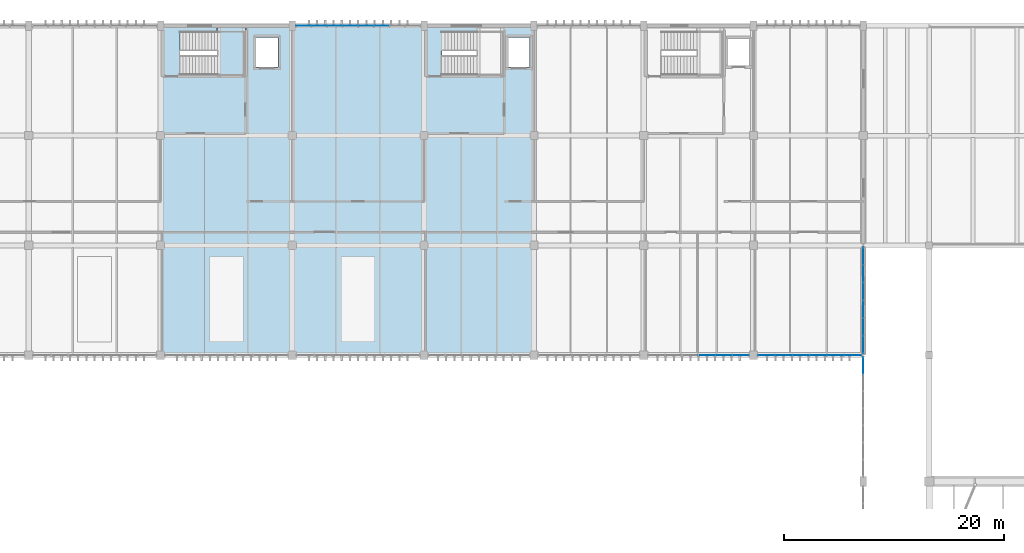
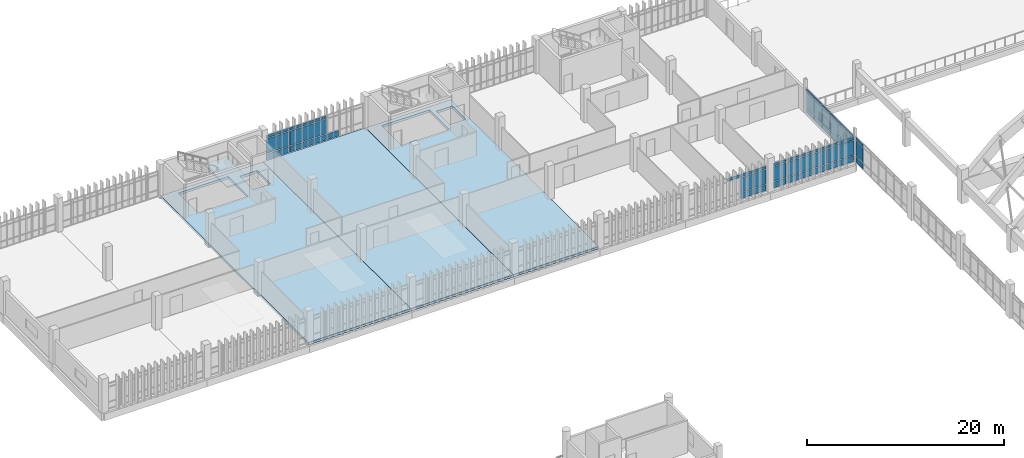
# One storey, part 96 of 111: 62 plates, 4 slabs, 6 elements without a shape of their own.
"""IFC4 building model written with IfcOpenShell, lengths in metres."""

from ifc_helpers import new_model, si_unit, direction, frame, origin, origin_2d, place, context, subcontext, project, spatial, polyline, rectangle, outline, extrude, material, layer, layer_set, type_object, element, aggregate, save


model = new_model("IFC4")

# Units and contexts
model_context = context("Model", 3, precision=1e-05, world=origin(), true_north=direction((0.0, 1.0)))
body_context = subcontext(model_context, "Body", "Model", "MODEL_VIEW")
ifc_project = project(units=[si_unit("LENGTHUNIT", "METRE"), si_unit("AREAUNIT", "SQUARE_METRE"), si_unit("VOLUMEUNIT", "CUBIC_METRE"), si_unit("PLANEANGLEUNIT", "RADIAN"), si_unit("MASSUNIT", "GRAM", prefix="KILO")], contexts=[model_context])

# Site, building, storey
site_placement = place(None, origin())
site = spatial("IfcSite", under=ifc_project, at=site_placement, CompositionType="ELEMENT")
building_placement = place(site_placement, origin())
building = spatial("IfcBuilding", under=site, at=building_placement, Name="Mersad Railyard Sports Hall", CompositionType="ELEMENT")
storey_placement = place(building_placement, frame((0.0, 0.0, 9.0)))
storey = spatial("IfcBuildingStorey", under=building, at=storey_placement, Name="L02", CompositionType="ELEMENT", Elevation=9.0)

# Curtain wall, plates
ifc_material_1 = material(Name="Aluminium 6063-T6", Category="aluminium")
ifc_layer_1 = layer(ifc_material_1, 0.159912109375)
ifc_layer_set_1 = layer_set([ifc_layer_1], Name="Aluminium 6063-T6")
curtain_wall_type_1 = type_object("IfcCurtainWallType", Name="ARC-CW-CW20", PredefinedType="USERDEFINED", material=ifc_layer_set_1)
curtain_wall_1_placement = place(storey_placement, origin())
curtain_wall_1 = element("IfcCurtainWall", 1, at=curtain_wall_1_placement, inside=storey, type_object=curtain_wall_type_1, Name="Curtain wall CW20-0079", ObjectType="CURTAIN WALL", PredefinedType="USERDEFINED")
ifc_material_2 = material(Name="Solar-control glass", Category="glass")
ifc_layer_2 = layer(ifc_material_2, 0.028076171875)
ifc_layer_set_2 = layer_set([ifc_layer_2], Name="Solar-control glass")
plate_type = type_object("IfcPlateType", Name="ARC-CW-PNL01", PredefinedType="CURTAIN_PANEL", material=ifc_layer_set_2)
plate_1_placement = place(storey_placement, frame((131.0, 84.05419921875, 0.0849609375), z_axis=(0.0, 0.0, 1.0), x_axis=(0.0, 1.0, 0.0)))
plate_1 = element("IfcPlate", 2, at=plate_1_placement, type_object=plate_type, Name="CW20 Glazed panel 7-1", PredefinedType="CURTAIN_PANEL", context=body_context, shape_type="SweptSolid", body=[
    extrude(rectangle(XDim=1.50732421875, YDim=0.028076171875, at=origin_2d()), origin(), (0.0, 0.0, 1.0), 0.719970703125),
])
plate_2_placement = place(storey_placement, frame((131.0, 84.05419921875, 0.89501953125), z_axis=(0.0, 0.0, 1.0), x_axis=(0.0, 1.0, 0.0)))
plate_2 = element("IfcPlate", 3, at=plate_2_placement, type_object=plate_type, Name="CW20 Glazed panel 7-2", PredefinedType="CURTAIN_PANEL", context=body_context, shape_type="SweptSolid", body=[
    extrude(rectangle(XDim=1.50732421875, YDim=0.028076171875, at=origin_2d()), origin(), (0.0, 0.0, 1.0), 1.8798828125),
])
plate_3_placement = place(storey_placement, frame((131.0, 84.05419921875, 2.864990234375), z_axis=(0.0, 0.0, 1.0), x_axis=(0.0, 1.0, 0.0)))
plate_3 = element("IfcPlate", 4, at=plate_3_placement, type_object=plate_type, Name="CW20 Glazed panel 7-3", PredefinedType="CURTAIN_PANEL", context=body_context, shape_type="SweptSolid", body=[
    extrude(rectangle(XDim=1.50732421875, YDim=0.028076171875, at=origin_2d()), origin(), (0.0, 0.0, 1.0), 0.35009765625),
])
aggregate(curtain_wall_1, [plate_1, plate_2, plate_3])

ifc_layer_3 = layer(ifc_material_1, 0.159912109375)
ifc_layer_set_3 = layer_set([ifc_layer_3], Name="Aluminium 6063-T6")
curtain_wall_type_2 = type_object("IfcCurtainWallType", Name="ARC-CW-CW23", PredefinedType="USERDEFINED", material=ifc_layer_set_3)
curtain_wall_2_placement = place(storey_placement, origin())
curtain_wall_2 = element("IfcCurtainWall", 5, at=curtain_wall_2_placement, inside=storey, type_object=curtain_wall_type_2, Name="Curtain wall CW23-0081", ObjectType="CURTAIN WALL", PredefinedType="USERDEFINED")
plate_4_placement = place(storey_placement, frame((131.0, 85.97509765625, 0.0849609375), z_axis=(0.0, 0.0, 1.0), x_axis=(0.0, 1.0, 0.0)))
plate_4 = element("IfcPlate", 6, at=plate_4_placement, type_object=plate_type, Name="CW23 Glazed panel 1-1", PredefinedType="CURTAIN_PANEL", context=body_context, shape_type="SweptSolid", body=[
    extrude(rectangle(XDim=1.56591796875, YDim=0.028076171875, at=origin_2d()), origin(), (0.0, 0.0, 1.0), 0.719970703125),
])
plate_5_placement = place(storey_placement, frame((131.0, 85.97509765625, 0.89501953125), z_axis=(0.0, 0.0, 1.0), x_axis=(0.0, 1.0, 0.0)))
plate_5 = element("IfcPlate", 7, at=plate_5_placement, type_object=plate_type, Name="CW23 Glazed panel 1-2", PredefinedType="CURTAIN_PANEL", context=body_context, shape_type="SweptSolid", body=[
    extrude(rectangle(XDim=1.56591796875, YDim=0.028076171875, at=origin_2d()), origin(), (0.0, 0.0, 1.0), 1.760009765625),
])
plate_6_placement = place(storey_placement, frame((131.0, 85.97509765625, 2.744873046875), z_axis=(0.0, 0.0, 1.0), x_axis=(0.0, 1.0, 0.0)))
plate_6 = element("IfcPlate", 8, at=plate_6_placement, type_object=plate_type, Name="CW23 Glazed panel 1-3", PredefinedType="CURTAIN_PANEL", context=body_context, shape_type="SweptSolid", body=[
    extrude(rectangle(XDim=1.56591796875, YDim=0.028076171875, at=origin_2d()), origin(), (0.0, 0.0, 1.0), 0.35009765625),
])
plate_7_placement = place(storey_placement, frame((131.0, 87.5849609375, 0.0849609375), z_axis=(0.0, 0.0, 1.0), x_axis=(0.0, 1.0, 0.0)))
plate_7 = element("IfcPlate", 9, at=plate_7_placement, type_object=plate_type, Name="CW23 Glazed panel 2-1", PredefinedType="CURTAIN_PANEL", context=body_context, shape_type="SweptSolid", body=[
    extrude(rectangle(XDim=1.56591796875, YDim=0.028076171875, at=origin_2d()), origin(), (0.0, 0.0, 1.0), 0.719970703125),
])
plate_8_placement = place(storey_placement, frame((131.0, 87.5849609375, 0.89501953125), z_axis=(0.0, 0.0, 1.0), x_axis=(0.0, 1.0, 0.0)))
plate_8 = element("IfcPlate", 10, at=plate_8_placement, type_object=plate_type, Name="CW23 Glazed panel 2-2", PredefinedType="CURTAIN_PANEL", context=body_context, shape_type="SweptSolid", body=[
    extrude(rectangle(XDim=1.56591796875, YDim=0.028076171875, at=origin_2d()), origin(), (0.0, 0.0, 1.0), 1.760009765625),
])
plate_9_placement = place(storey_placement, frame((131.0, 87.5849609375, 2.744873046875), z_axis=(0.0, 0.0, 1.0), x_axis=(0.0, 1.0, 0.0)))
plate_9 = element("IfcPlate", 11, at=plate_9_placement, type_object=plate_type, Name="CW23 Glazed panel 2-3", PredefinedType="CURTAIN_PANEL", context=body_context, shape_type="SweptSolid", body=[
    extrude(rectangle(XDim=1.56591796875, YDim=0.028076171875, at=origin_2d()), origin(), (0.0, 0.0, 1.0), 0.35009765625),
])
plate_10_placement = place(storey_placement, frame((131.0, 89.195068359375, 0.0849609375), z_axis=(0.0, 0.0, 1.0), x_axis=(0.0, 1.0, 0.0)))
plate_10 = element("IfcPlate", 12, at=plate_10_placement, type_object=plate_type, Name="CW23 Glazed panel 3-1", PredefinedType="CURTAIN_PANEL", context=body_context, shape_type="SweptSolid", body=[
    extrude(rectangle(XDim=1.56591796875, YDim=0.028076171875, at=origin_2d()), origin(), (0.0, 0.0, 1.0), 0.719970703125),
])
plate_11_placement = place(storey_placement, frame((131.0, 89.195068359375, 0.89501953125), z_axis=(0.0, 0.0, 1.0), x_axis=(0.0, 1.0, 0.0)))
plate_11 = element("IfcPlate", 13, at=plate_11_placement, type_object=plate_type, Name="CW23 Glazed panel 3-2", PredefinedType="CURTAIN_PANEL", context=body_context, shape_type="SweptSolid", body=[
    extrude(rectangle(XDim=1.56591796875, YDim=0.028076171875, at=origin_2d()), origin(), (0.0, 0.0, 1.0), 1.760009765625),
])
plate_12_placement = place(storey_placement, frame((131.0, 89.195068359375, 2.744873046875), z_axis=(0.0, 0.0, 1.0), x_axis=(0.0, 1.0, 0.0)))
plate_12 = element("IfcPlate", 14, at=plate_12_placement, type_object=plate_type, Name="CW23 Glazed panel 3-3", PredefinedType="CURTAIN_PANEL", context=body_context, shape_type="SweptSolid", body=[
    extrude(rectangle(XDim=1.56591796875, YDim=0.028076171875, at=origin_2d()), origin(), (0.0, 0.0, 1.0), 0.35009765625),
])
plate_13_placement = place(storey_placement, frame((131.0, 90.804931640625, 0.0849609375), z_axis=(0.0, 0.0, 1.0), x_axis=(0.0, 1.0, 0.0)))
plate_13 = element("IfcPlate", 15, at=plate_13_placement, type_object=plate_type, Name="CW23 Glazed panel 4-1", PredefinedType="CURTAIN_PANEL", context=body_context, shape_type="SweptSolid", body=[
    extrude(rectangle(XDim=1.56591796875, YDim=0.028076171875, at=origin_2d()), origin(), (0.0, 0.0, 1.0), 0.719970703125),
])
plate_14_placement = place(storey_placement, frame((131.0, 90.804931640625, 0.89501953125), z_axis=(0.0, 0.0, 1.0), x_axis=(0.0, 1.0, 0.0)))
plate_14 = element("IfcPlate", 16, at=plate_14_placement, type_object=plate_type, Name="CW23 Glazed panel 4-2", PredefinedType="CURTAIN_PANEL", context=body_context, shape_type="SweptSolid", body=[
    extrude(rectangle(XDim=1.56591796875, YDim=0.028076171875, at=origin_2d()), origin(), (0.0, 0.0, 1.0), 1.760009765625),
])
plate_15_placement = place(storey_placement, frame((131.0, 90.804931640625, 2.744873046875), z_axis=(0.0, 0.0, 1.0), x_axis=(0.0, 1.0, 0.0)))
plate_15 = element("IfcPlate", 17, at=plate_15_placement, type_object=plate_type, Name="CW23 Glazed panel 4-3", PredefinedType="CURTAIN_PANEL", context=body_context, shape_type="SweptSolid", body=[
    extrude(rectangle(XDim=1.56591796875, YDim=0.028076171875, at=origin_2d()), origin(), (0.0, 0.0, 1.0), 0.35009765625),
])
plate_16_placement = place(storey_placement, frame((131.0, 92.4150390625, 0.0849609375), z_axis=(0.0, 0.0, 1.0), x_axis=(0.0, 1.0, 0.0)))
plate_16 = element("IfcPlate", 18, at=plate_16_placement, type_object=plate_type, Name="CW23 Glazed panel 5-1", PredefinedType="CURTAIN_PANEL", context=body_context, shape_type="SweptSolid", body=[
    extrude(rectangle(XDim=1.56591796875, YDim=0.028076171875, at=origin_2d()), origin(), (0.0, 0.0, 1.0), 0.719970703125),
])
plate_17_placement = place(storey_placement, frame((131.0, 92.4150390625, 0.89501953125), z_axis=(0.0, 0.0, 1.0), x_axis=(0.0, 1.0, 0.0)))
plate_17 = element("IfcPlate", 19, at=plate_17_placement, type_object=plate_type, Name="CW23 Glazed panel 5-2", PredefinedType="CURTAIN_PANEL", context=body_context, shape_type="SweptSolid", body=[
    extrude(rectangle(XDim=1.56591796875, YDim=0.028076171875, at=origin_2d()), origin(), (0.0, 0.0, 1.0), 1.760009765625),
])
plate_18_placement = place(storey_placement, frame((131.0, 92.4150390625, 2.744873046875), z_axis=(0.0, 0.0, 1.0), x_axis=(0.0, 1.0, 0.0)))
plate_18 = element("IfcPlate", 20, at=plate_18_placement, type_object=plate_type, Name="CW23 Glazed panel 5-3", PredefinedType="CURTAIN_PANEL", context=body_context, shape_type="SweptSolid", body=[
    extrude(rectangle(XDim=1.56591796875, YDim=0.028076171875, at=origin_2d()), origin(), (0.0, 0.0, 1.0), 0.35009765625),
])
plate_19_placement = place(storey_placement, frame((131.0, 94.02490234375, 0.0849609375), z_axis=(0.0, 0.0, 1.0), x_axis=(0.0, 1.0, 0.0)))
plate_19 = element("IfcPlate", 21, at=plate_19_placement, type_object=plate_type, Name="CW23 Glazed panel 6-1", PredefinedType="CURTAIN_PANEL", context=body_context, shape_type="SweptSolid", body=[
    extrude(rectangle(XDim=1.56591796875, YDim=0.028076171875, at=origin_2d()), origin(), (0.0, 0.0, 1.0), 0.719970703125),
])
plate_20_placement = place(storey_placement, frame((131.0, 94.02490234375, 0.89501953125), z_axis=(0.0, 0.0, 1.0), x_axis=(0.0, 1.0, 0.0)))
plate_20 = element("IfcPlate", 22, at=plate_20_placement, type_object=plate_type, Name="CW23 Glazed panel 6-2", PredefinedType="CURTAIN_PANEL", context=body_context, shape_type="SweptSolid", body=[
    extrude(rectangle(XDim=1.56591796875, YDim=0.028076171875, at=origin_2d()), origin(), (0.0, 0.0, 1.0), 1.760009765625),
])
plate_21_placement = place(storey_placement, frame((131.0, 94.02490234375, 2.744873046875), z_axis=(0.0, 0.0, 1.0), x_axis=(0.0, 1.0, 0.0)))
plate_21 = element("IfcPlate", 23, at=plate_21_placement, type_object=plate_type, Name="CW23 Glazed panel 6-3", PredefinedType="CURTAIN_PANEL", context=body_context, shape_type="SweptSolid", body=[
    extrude(rectangle(XDim=1.56591796875, YDim=0.028076171875, at=origin_2d()), origin(), (0.0, 0.0, 1.0), 0.35009765625),
])
aggregate(curtain_wall_2, [plate_4, plate_5, plate_6, plate_7, plate_8, plate_9, plate_10, plate_11, plate_12, plate_13, plate_14, plate_15, plate_16, plate_17, plate_18, plate_19, plate_20, plate_21])

ifc_layer_4 = layer(ifc_material_1, 0.159912109375)
ifc_layer_set_4 = layer_set([ifc_layer_4], Name="Aluminium 6063-T6")
curtain_wall_type_3 = type_object("IfcCurtainWallType", Name="ARC-CW-CW52", PredefinedType="USERDEFINED", material=ifc_layer_set_4)
curtain_wall_3_placement = place(storey_placement, origin())
curtain_wall_3 = element("IfcCurtainWall", 24, at=curtain_wall_3_placement, inside=storey, type_object=curtain_wall_type_3, Name="Curtain wall CW52-0140", ObjectType="CURTAIN WALL", PredefinedType="USERDEFINED")
plate_22_placement = place(storey_placement, frame((80.030029296875, 115.0, 0.0849609375), z_axis=(0.0, 0.0, 1.0), x_axis=(1.0, 0.0, 0.0)))
plate_22 = element("IfcPlate", 25, at=plate_22_placement, type_object=plate_type, Name="CW52 Glazed panel 1-1", PredefinedType="CURTAIN_PANEL", context=body_context, shape_type="SweptSolid", body=[
    extrude(rectangle(XDim=1.3759765625, YDim=0.028076171875, at=origin_2d()), origin(), (0.0, 0.0, 1.0), 0.719970703125),
])
plate_23_placement = place(storey_placement, frame((80.030029296875, 115.0, 0.89501953125), z_axis=(0.0, 0.0, 1.0), x_axis=(1.0, 0.0, 0.0)))
plate_23 = element("IfcPlate", 26, at=plate_23_placement, type_object=plate_type, Name="CW52 Glazed panel 1-2", PredefinedType="CURTAIN_PANEL", context=body_context, shape_type="SweptSolid", body=[
    extrude(rectangle(XDim=1.3759765625, YDim=0.028076171875, at=origin_2d()), origin(), (0.0, 0.0, 1.0), 1.7900390625),
])
plate_24_placement = place(storey_placement, frame((80.030029296875, 115.0, 2.77490234375), z_axis=(0.0, 0.0, 1.0), x_axis=(1.0, 0.0, 0.0)))
plate_24 = element("IfcPlate", 27, at=plate_24_placement, type_object=plate_type, Name="CW52 Glazed panel 1-3", PredefinedType="CURTAIN_PANEL", context=body_context, shape_type="SweptSolid", body=[
    extrude(rectangle(XDim=1.3759765625, YDim=0.028076171875, at=origin_2d()), origin(), (0.0, 0.0, 1.0), 0.35009765625),
])
plate_25_placement = place(storey_placement, frame((81.449951171875, 115.0, 0.0849609375), z_axis=(0.0, 0.0, 1.0), x_axis=(1.0, 0.0, 0.0)))
plate_25 = element("IfcPlate", 28, at=plate_25_placement, type_object=plate_type, Name="CW52 Glazed panel 2-1", PredefinedType="CURTAIN_PANEL", context=body_context, shape_type="SweptSolid", body=[
    extrude(rectangle(XDim=1.3759765625, YDim=0.028076171875, at=origin_2d()), origin(), (0.0, 0.0, 1.0), 0.719970703125),
])
plate_26_placement = place(storey_placement, frame((81.449951171875, 115.0, 0.89501953125), z_axis=(0.0, 0.0, 1.0), x_axis=(1.0, 0.0, 0.0)))
plate_26 = element("IfcPlate", 29, at=plate_26_placement, type_object=plate_type, Name="CW52 Glazed panel 2-2", PredefinedType="CURTAIN_PANEL", context=body_context, shape_type="SweptSolid", body=[
    extrude(rectangle(XDim=1.3759765625, YDim=0.028076171875, at=origin_2d()), origin(), (0.0, 0.0, 1.0), 1.7900390625),
])
plate_27_placement = place(storey_placement, frame((81.449951171875, 115.0, 2.77490234375), z_axis=(0.0, 0.0, 1.0), x_axis=(1.0, 0.0, 0.0)))
plate_27 = element("IfcPlate", 30, at=plate_27_placement, type_object=plate_type, Name="CW52 Glazed panel 2-3", PredefinedType="CURTAIN_PANEL", context=body_context, shape_type="SweptSolid", body=[
    extrude(rectangle(XDim=1.3759765625, YDim=0.028076171875, at=origin_2d()), origin(), (0.0, 0.0, 1.0), 0.35009765625),
])
plate_28_placement = place(storey_placement, frame((82.8701171875, 115.0, 0.0849609375), z_axis=(0.0, 0.0, 1.0), x_axis=(1.0, 0.0, 0.0)))
plate_28 = element("IfcPlate", 31, at=plate_28_placement, type_object=plate_type, Name="CW52 Glazed panel 3-1", PredefinedType="CURTAIN_PANEL", context=body_context, shape_type="SweptSolid", body=[
    extrude(rectangle(XDim=1.3759765625, YDim=0.028076171875, at=origin_2d()), origin(), (0.0, 0.0, 1.0), 0.719970703125),
])
plate_29_placement = place(storey_placement, frame((82.8701171875, 115.0, 0.89501953125), z_axis=(0.0, 0.0, 1.0), x_axis=(1.0, 0.0, 0.0)))
plate_29 = element("IfcPlate", 32, at=plate_29_placement, type_object=plate_type, Name="CW52 Glazed panel 3-2", PredefinedType="CURTAIN_PANEL", context=body_context, shape_type="SweptSolid", body=[
    extrude(rectangle(XDim=1.3759765625, YDim=0.028076171875, at=origin_2d()), origin(), (0.0, 0.0, 1.0), 1.7900390625),
])
plate_30_placement = place(storey_placement, frame((82.8701171875, 115.0, 2.77490234375), z_axis=(0.0, 0.0, 1.0), x_axis=(1.0, 0.0, 0.0)))
plate_30 = element("IfcPlate", 33, at=plate_30_placement, type_object=plate_type, Name="CW52 Glazed panel 3-3", PredefinedType="CURTAIN_PANEL", context=body_context, shape_type="SweptSolid", body=[
    extrude(rectangle(XDim=1.3759765625, YDim=0.028076171875, at=origin_2d()), origin(), (0.0, 0.0, 1.0), 0.35009765625),
])
plate_31_placement = place(storey_placement, frame((84.2900390625, 115.0, 0.0849609375), z_axis=(0.0, 0.0, 1.0), x_axis=(1.0, 0.0, 0.0)))
plate_31 = element("IfcPlate", 34, at=plate_31_placement, type_object=plate_type, Name="CW52 Glazed panel 4-1", PredefinedType="CURTAIN_PANEL", context=body_context, shape_type="SweptSolid", body=[
    extrude(rectangle(XDim=1.3759765625, YDim=0.028076171875, at=origin_2d()), origin(), (0.0, 0.0, 1.0), 0.719970703125),
])
plate_32_placement = place(storey_placement, frame((84.2900390625, 115.0, 0.89501953125), z_axis=(0.0, 0.0, 1.0), x_axis=(1.0, 0.0, 0.0)))
plate_32 = element("IfcPlate", 35, at=plate_32_placement, type_object=plate_type, Name="CW52 Glazed panel 4-2", PredefinedType="CURTAIN_PANEL", context=body_context, shape_type="SweptSolid", body=[
    extrude(rectangle(XDim=1.3759765625, YDim=0.028076171875, at=origin_2d()), origin(), (0.0, 0.0, 1.0), 1.7900390625),
])
plate_33_placement = place(storey_placement, frame((84.2900390625, 115.0, 2.77490234375), z_axis=(0.0, 0.0, 1.0), x_axis=(1.0, 0.0, 0.0)))
plate_33 = element("IfcPlate", 36, at=plate_33_placement, type_object=plate_type, Name="CW52 Glazed panel 4-3", PredefinedType="CURTAIN_PANEL", context=body_context, shape_type="SweptSolid", body=[
    extrude(rectangle(XDim=1.3759765625, YDim=0.028076171875, at=origin_2d()), origin(), (0.0, 0.0, 1.0), 0.35009765625),
])
plate_34_placement = place(storey_placement, frame((85.7099609375, 115.0, 0.0849609375), z_axis=(0.0, 0.0, 1.0), x_axis=(1.0, 0.0, 0.0)))
plate_34 = element("IfcPlate", 37, at=plate_34_placement, type_object=plate_type, Name="CW52 Glazed panel 5-1", PredefinedType="CURTAIN_PANEL", context=body_context, shape_type="SweptSolid", body=[
    extrude(rectangle(XDim=1.3759765625, YDim=0.028076171875, at=origin_2d()), origin(), (0.0, 0.0, 1.0), 0.719970703125),
])
plate_35_placement = place(storey_placement, frame((85.7099609375, 115.0, 0.89501953125), z_axis=(0.0, 0.0, 1.0), x_axis=(1.0, 0.0, 0.0)))
plate_35 = element("IfcPlate", 38, at=plate_35_placement, type_object=plate_type, Name="CW52 Glazed panel 5-2", PredefinedType="CURTAIN_PANEL", context=body_context, shape_type="SweptSolid", body=[
    extrude(rectangle(XDim=1.3759765625, YDim=0.028076171875, at=origin_2d()), origin(), (0.0, 0.0, 1.0), 1.7900390625),
])
plate_36_placement = place(storey_placement, frame((85.7099609375, 115.0, 2.77490234375), z_axis=(0.0, 0.0, 1.0), x_axis=(1.0, 0.0, 0.0)))
plate_36 = element("IfcPlate", 39, at=plate_36_placement, type_object=plate_type, Name="CW52 Glazed panel 5-3", PredefinedType="CURTAIN_PANEL", context=body_context, shape_type="SweptSolid", body=[
    extrude(rectangle(XDim=1.3759765625, YDim=0.028076171875, at=origin_2d()), origin(), (0.0, 0.0, 1.0), 0.35009765625),
])
plate_37_placement = place(storey_placement, frame((87.1298828125, 115.0, 0.0849609375), z_axis=(0.0, 0.0, 1.0), x_axis=(1.0, 0.0, 0.0)))
plate_37 = element("IfcPlate", 40, at=plate_37_placement, type_object=plate_type, Name="CW52 Glazed panel 6-1", PredefinedType="CURTAIN_PANEL", context=body_context, shape_type="SweptSolid", body=[
    extrude(rectangle(XDim=1.3759765625, YDim=0.028076171875, at=origin_2d()), origin(), (0.0, 0.0, 1.0), 0.719970703125),
])
aggregate(curtain_wall_3, [plate_22, plate_23, plate_24, plate_25, plate_26, plate_27, plate_28, plate_29, plate_30, plate_31, plate_32, plate_33, plate_34, plate_35, plate_36, plate_37])

ifc_layer_5 = layer(ifc_material_1, 0.159912109375)
ifc_layer_set_5 = layer_set([ifc_layer_5], Name="Aluminium 6063-T6")
curtain_wall_type_4 = type_object("IfcCurtainWallType", Name="ARC-CW-CW55", PredefinedType="USERDEFINED", material=ifc_layer_set_5)
curtain_wall_4_placement = place(storey_placement, origin())
curtain_wall_4 = element("IfcCurtainWall", 41, at=curtain_wall_4_placement, inside=storey, type_object=curtain_wall_type_4, Name="Curtain wall CW55-0149", ObjectType="CURTAIN WALL", PredefinedType="USERDEFINED")
plate_38_placement = place(storey_placement, frame((119.83740234375, 85.0, 0.0849609375), z_axis=(0.0, 0.0, 1.0), x_axis=(-1.0, 0.0, 0.0)))
plate_38 = element("IfcPlate", 42, at=plate_38_placement, type_object=plate_type, Name="CW55 Glazed panel 1-1", PredefinedType="CURTAIN_PANEL", context=body_context, shape_type="SweptSolid", body=[
    extrude(rectangle(XDim=1.490966796875, YDim=0.028076171875, at=origin_2d()), origin(), (0.0, 0.0, 1.0), 0.719970703125),
])
plate_39_placement = place(storey_placement, frame((119.83740234375, 85.0, 0.89501953125), z_axis=(0.0, 0.0, 1.0), x_axis=(-1.0, 0.0, 0.0)))
plate_39 = element("IfcPlate", 43, at=plate_39_placement, type_object=plate_type, Name="CW55 Glazed panel 1-2", PredefinedType="CURTAIN_PANEL", context=body_context, shape_type="SweptSolid", body=[
    extrude(rectangle(XDim=1.490966796875, YDim=0.028076171875, at=origin_2d()), origin(), (0.0, 0.0, 1.0), 1.7900390625),
])
plate_40_placement = place(storey_placement, frame((119.83740234375, 85.0, 2.77490234375), z_axis=(0.0, 0.0, 1.0), x_axis=(-1.0, 0.0, 0.0)))
plate_40 = element("IfcPlate", 44, at=plate_40_placement, type_object=plate_type, Name="CW55 Glazed panel 1-3", PredefinedType="CURTAIN_PANEL", context=body_context, shape_type="SweptSolid", body=[
    extrude(rectangle(XDim=1.490966796875, YDim=0.028076171875, at=origin_2d()), origin(), (0.0, 0.0, 1.0), 0.35009765625),
])
plate_41_placement = place(storey_placement, frame((118.302490234375, 85.0, 0.0849609375), z_axis=(0.0, 0.0, 1.0), x_axis=(-1.0, 0.0, 0.0)))
plate_41 = element("IfcPlate", 45, at=plate_41_placement, type_object=plate_type, Name="CW55 Glazed panel 2-1", PredefinedType="CURTAIN_PANEL", context=body_context, shape_type="SweptSolid", body=[
    extrude(rectangle(XDim=1.490966796875, YDim=0.028076171875, at=origin_2d()), origin(), (0.0, 0.0, 1.0), 0.719970703125),
])
plate_42_placement = place(storey_placement, frame((118.302490234375, 85.0, 0.89501953125), z_axis=(0.0, 0.0, 1.0), x_axis=(-1.0, 0.0, 0.0)))
plate_42 = element("IfcPlate", 46, at=plate_42_placement, type_object=plate_type, Name="CW55 Glazed panel 2-2", PredefinedType="CURTAIN_PANEL", context=body_context, shape_type="SweptSolid", body=[
    extrude(rectangle(XDim=1.490966796875, YDim=0.028076171875, at=origin_2d()), origin(), (0.0, 0.0, 1.0), 1.7900390625),
])
plate_43_placement = place(storey_placement, frame((118.302490234375, 85.0, 2.77490234375), z_axis=(0.0, 0.0, 1.0), x_axis=(-1.0, 0.0, 0.0)))
plate_43 = element("IfcPlate", 47, at=plate_43_placement, type_object=plate_type, Name="CW55 Glazed panel 2-3", PredefinedType="CURTAIN_PANEL", context=body_context, shape_type="SweptSolid", body=[
    extrude(rectangle(XDim=1.490966796875, YDim=0.028076171875, at=origin_2d()), origin(), (0.0, 0.0, 1.0), 0.35009765625),
])
plate_44_placement = place(storey_placement, frame((116.767578125, 85.0, 2.77490234375), z_axis=(0.0, 0.0, 1.0), x_axis=(-1.0, 0.0, 0.0)))
plate_44 = element("IfcPlate", 48, at=plate_44_placement, type_object=plate_type, Name="CW55 Glazed panel 3-3", PredefinedType="CURTAIN_PANEL", context=body_context, shape_type="SweptSolid", body=[
    extrude(rectangle(XDim=1.490966796875, YDim=0.028076171875, at=origin_2d()), origin(), (0.0, 0.0, 1.0), 0.35009765625),
])
aggregate(curtain_wall_4, [plate_38, plate_39, plate_40, plate_41, plate_42, plate_43, plate_44])

ifc_layer_6 = layer(ifc_material_1, 0.159912109375)
ifc_layer_set_6 = layer_set([ifc_layer_6], Name="Aluminium 6063-T6")
curtain_wall_type_5 = type_object("IfcCurtainWallType", Name="ARC-CW-CW56", PredefinedType="USERDEFINED", material=ifc_layer_set_6)
curtain_wall_5_placement = place(storey_placement, origin())
curtain_wall_5 = element("IfcCurtainWall", 49, at=curtain_wall_5_placement, inside=storey, type_object=curtain_wall_type_5, Name="Curtain wall CW56-0150", ObjectType="CURTAIN WALL", PredefinedType="USERDEFINED")
plate_45_placement = place(storey_placement, frame((130.043701171875, 85.0, 0.0849609375), z_axis=(0.0, 0.0, 1.0), x_axis=(-1.0, 0.0, 0.0)))
plate_45 = element("IfcPlate", 50, at=plate_45_placement, type_object=plate_type, Name="CW56 Glazed panel 1-1", PredefinedType="CURTAIN_PANEL", context=body_context, shape_type="SweptSolid", body=[
    extrude(rectangle(XDim=1.528564453125, YDim=0.028076171875, at=origin_2d()), origin(), (0.0, 0.0, 1.0), 0.719970703125),
])
plate_46_placement = place(storey_placement, frame((130.043701171875, 85.0, 0.89501953125), z_axis=(0.0, 0.0, 1.0), x_axis=(-1.0, 0.0, 0.0)))
plate_46 = element("IfcPlate", 51, at=plate_46_placement, type_object=plate_type, Name="CW56 Glazed panel 1-2", PredefinedType="CURTAIN_PANEL", context=body_context, shape_type="SweptSolid", body=[
    extrude(rectangle(XDim=1.528564453125, YDim=0.028076171875, at=origin_2d()), origin(), (0.0, 0.0, 1.0), 1.7900390625),
])
plate_47_placement = place(storey_placement, frame((130.043701171875, 85.0, 2.77490234375), z_axis=(0.0, 0.0, 1.0), x_axis=(-1.0, 0.0, 0.0)))
plate_47 = element("IfcPlate", 52, at=plate_47_placement, type_object=plate_type, Name="CW56 Glazed panel 1-3", PredefinedType="CURTAIN_PANEL", context=body_context, shape_type="SweptSolid", body=[
    extrude(rectangle(XDim=1.528564453125, YDim=0.028076171875, at=origin_2d()), origin(), (0.0, 0.0, 1.0), 0.35009765625),
])
plate_48_placement = place(storey_placement, frame((128.47119140625, 85.0, 0.0849609375), z_axis=(0.0, 0.0, 1.0), x_axis=(-1.0, 0.0, 0.0)))
plate_48 = element("IfcPlate", 53, at=plate_48_placement, type_object=plate_type, Name="CW56 Glazed panel 2-1", PredefinedType="CURTAIN_PANEL", context=body_context, shape_type="SweptSolid", body=[
    extrude(rectangle(XDim=1.528564453125, YDim=0.028076171875, at=origin_2d()), origin(), (0.0, 0.0, 1.0), 0.719970703125),
])
plate_49_placement = place(storey_placement, frame((128.47119140625, 85.0, 0.89501953125), z_axis=(0.0, 0.0, 1.0), x_axis=(-1.0, 0.0, 0.0)))
plate_49 = element("IfcPlate", 54, at=plate_49_placement, type_object=plate_type, Name="CW56 Glazed panel 2-2", PredefinedType="CURTAIN_PANEL", context=body_context, shape_type="SweptSolid", body=[
    extrude(rectangle(XDim=1.528564453125, YDim=0.028076171875, at=origin_2d()), origin(), (0.0, 0.0, 1.0), 1.7900390625),
])
plate_50_placement = place(storey_placement, frame((128.47119140625, 85.0, 2.77490234375), z_axis=(0.0, 0.0, 1.0), x_axis=(-1.0, 0.0, 0.0)))
plate_50 = element("IfcPlate", 55, at=plate_50_placement, type_object=plate_type, Name="CW56 Glazed panel 2-3", PredefinedType="CURTAIN_PANEL", context=body_context, shape_type="SweptSolid", body=[
    extrude(rectangle(XDim=1.528564453125, YDim=0.028076171875, at=origin_2d()), origin(), (0.0, 0.0, 1.0), 0.35009765625),
])
plate_51_placement = place(storey_placement, frame((126.898681640625, 85.0, 0.0849609375), z_axis=(0.0, 0.0, 1.0), x_axis=(-1.0, 0.0, 0.0)))
plate_51 = element("IfcPlate", 56, at=plate_51_placement, type_object=plate_type, Name="CW56 Glazed panel 3-1", PredefinedType="CURTAIN_PANEL", context=body_context, shape_type="SweptSolid", body=[
    extrude(rectangle(XDim=1.528564453125, YDim=0.028076171875, at=origin_2d()), origin(), (0.0, 0.0, 1.0), 0.719970703125),
])
plate_52_placement = place(storey_placement, frame((126.898681640625, 85.0, 0.89501953125), z_axis=(0.0, 0.0, 1.0), x_axis=(-1.0, 0.0, 0.0)))
plate_52 = element("IfcPlate", 57, at=plate_52_placement, type_object=plate_type, Name="CW56 Glazed panel 3-2", PredefinedType="CURTAIN_PANEL", context=body_context, shape_type="SweptSolid", body=[
    extrude(rectangle(XDim=1.528564453125, YDim=0.028076171875, at=origin_2d()), origin(), (0.0, 0.0, 1.0), 1.7900390625),
])
plate_53_placement = place(storey_placement, frame((126.898681640625, 85.0, 2.77490234375), z_axis=(0.0, 0.0, 1.0), x_axis=(-1.0, 0.0, 0.0)))
plate_53 = element("IfcPlate", 58, at=plate_53_placement, type_object=plate_type, Name="CW56 Glazed panel 3-3", PredefinedType="CURTAIN_PANEL", context=body_context, shape_type="SweptSolid", body=[
    extrude(rectangle(XDim=1.528564453125, YDim=0.028076171875, at=origin_2d()), origin(), (0.0, 0.0, 1.0), 0.35009765625),
])
plate_54_placement = place(storey_placement, frame((125.326171875, 85.0, 0.0849609375), z_axis=(0.0, 0.0, 1.0), x_axis=(-1.0, 0.0, 0.0)))
plate_54 = element("IfcPlate", 59, at=plate_54_placement, type_object=plate_type, Name="CW56 Glazed panel 4-1", PredefinedType="CURTAIN_PANEL", context=body_context, shape_type="SweptSolid", body=[
    extrude(rectangle(XDim=1.528564453125, YDim=0.028076171875, at=origin_2d()), origin(), (0.0, 0.0, 1.0), 0.719970703125),
])
plate_55_placement = place(storey_placement, frame((125.326171875, 85.0, 0.89501953125), z_axis=(0.0, 0.0, 1.0), x_axis=(-1.0, 0.0, 0.0)))
plate_55 = element("IfcPlate", 60, at=plate_55_placement, type_object=plate_type, Name="CW56 Glazed panel 4-2", PredefinedType="CURTAIN_PANEL", context=body_context, shape_type="SweptSolid", body=[
    extrude(rectangle(XDim=1.528564453125, YDim=0.028076171875, at=origin_2d()), origin(), (0.0, 0.0, 1.0), 1.7900390625),
])
plate_56_placement = place(storey_placement, frame((125.326171875, 85.0, 2.77490234375), z_axis=(0.0, 0.0, 1.0), x_axis=(-1.0, 0.0, 0.0)))
plate_56 = element("IfcPlate", 61, at=plate_56_placement, type_object=plate_type, Name="CW56 Glazed panel 4-3", PredefinedType="CURTAIN_PANEL", context=body_context, shape_type="SweptSolid", body=[
    extrude(rectangle(XDim=1.528564453125, YDim=0.028076171875, at=origin_2d()), origin(), (0.0, 0.0, 1.0), 0.35009765625),
])
plate_57_placement = place(storey_placement, frame((123.753662109375, 85.0, 0.0849609375), z_axis=(0.0, 0.0, 1.0), x_axis=(-1.0, 0.0, 0.0)))
plate_57 = element("IfcPlate", 62, at=plate_57_placement, type_object=plate_type, Name="CW56 Glazed panel 5-1", PredefinedType="CURTAIN_PANEL", context=body_context, shape_type="SweptSolid", body=[
    extrude(rectangle(XDim=1.528564453125, YDim=0.028076171875, at=origin_2d()), origin(), (0.0, 0.0, 1.0), 0.719970703125),
])
plate_58_placement = place(storey_placement, frame((123.753662109375, 85.0, 0.89501953125), z_axis=(0.0, 0.0, 1.0), x_axis=(-1.0, 0.0, 0.0)))
plate_58 = element("IfcPlate", 63, at=plate_58_placement, type_object=plate_type, Name="CW56 Glazed panel 5-2", PredefinedType="CURTAIN_PANEL", context=body_context, shape_type="SweptSolid", body=[
    extrude(rectangle(XDim=1.528564453125, YDim=0.028076171875, at=origin_2d()), origin(), (0.0, 0.0, 1.0), 1.7900390625),
])
plate_59_placement = place(storey_placement, frame((123.753662109375, 85.0, 2.77490234375), z_axis=(0.0, 0.0, 1.0), x_axis=(-1.0, 0.0, 0.0)))
plate_59 = element("IfcPlate", 64, at=plate_59_placement, type_object=plate_type, Name="CW56 Glazed panel 5-3", PredefinedType="CURTAIN_PANEL", context=body_context, shape_type="SweptSolid", body=[
    extrude(rectangle(XDim=1.528564453125, YDim=0.028076171875, at=origin_2d()), origin(), (0.0, 0.0, 1.0), 0.35009765625),
])
plate_60_placement = place(storey_placement, frame((122.18115234375, 85.0, 0.0849609375), z_axis=(0.0, 0.0, 1.0), x_axis=(-1.0, 0.0, 0.0)))
plate_60 = element("IfcPlate", 65, at=plate_60_placement, type_object=plate_type, Name="CW56 Glazed panel 6-1", PredefinedType="CURTAIN_PANEL", context=body_context, shape_type="SweptSolid", body=[
    extrude(rectangle(XDim=1.528564453125, YDim=0.028076171875, at=origin_2d()), origin(), (0.0, 0.0, 1.0), 0.719970703125),
])
plate_61_placement = place(storey_placement, frame((122.18115234375, 85.0, 0.89501953125), z_axis=(0.0, 0.0, 1.0), x_axis=(-1.0, 0.0, 0.0)))
plate_61 = element("IfcPlate", 66, at=plate_61_placement, type_object=plate_type, Name="CW56 Glazed panel 6-2", PredefinedType="CURTAIN_PANEL", context=body_context, shape_type="SweptSolid", body=[
    extrude(rectangle(XDim=1.528564453125, YDim=0.028076171875, at=origin_2d()), origin(), (0.0, 0.0, 1.0), 1.7900390625),
])
plate_62_placement = place(storey_placement, frame((122.18115234375, 85.0, 2.77490234375), z_axis=(0.0, 0.0, 1.0), x_axis=(-1.0, 0.0, 0.0)))
plate_62 = element("IfcPlate", 67, at=plate_62_placement, type_object=plate_type, Name="CW56 Glazed panel 6-3", PredefinedType="CURTAIN_PANEL", context=body_context, shape_type="SweptSolid", body=[
    extrude(rectangle(XDim=1.528564453125, YDim=0.028076171875, at=origin_2d()), origin(), (0.0, 0.0, 1.0), 0.35009765625),
])
aggregate(curtain_wall_5, [plate_45, plate_46, plate_47, plate_48, plate_49, plate_50, plate_51, plate_52, plate_53, plate_54, plate_55, plate_56, plate_57, plate_58, plate_59, plate_60, plate_61, plate_62])

# Slabs
ifc_material_3 = material(Name="Concrete C40/50", Category="concrete")
ifc_layer_7 = layer(ifc_material_3, 0.300048828125)
ifc_layer_set_7 = layer_set([ifc_layer_7], Name="Concrete C40/50")
slab_type_1 = type_object("IfcSlabType", Name="STR-SL-FL03", PredefinedType="FLOOR", material=ifc_layer_set_7)
slab_1_placement = place(storey_placement, frame((0.0, 0.0, -0.300048828125)))
element("IfcSlab", 68, at=slab_1_placement, inside=storey, type_object=slab_type_1, Name="Slab SL03-0087", PredefinedType="FLOOR", context=body_context, shape_type="SweptSolid", body=[
    extrude(outline(polyline([(67.0, 85.0), (79.0, 85.0), (79.0, 115.0), (67.0, 115.0), (67.0, 85.0)]), holes=[polyline([(68.7900390625, 110.5), (74.64990234375, 110.5), (74.64990234375, 114.5), (68.7900390625, 114.5), (68.7900390625, 110.5)]), polyline([(75.699951171875, 111.25), (77.699951171875, 111.25), (77.699951171875, 113.949951171875), (75.699951171875, 113.949951171875), (75.699951171875, 111.25)])]), origin(), (0.0, 0.0, 1.0), 0.300048828125),
])
slab_2_placement = place(storey_placement, frame((0.0, 0.0, -0.300048828125)))
element("IfcSlab", 69, at=slab_2_placement, inside=storey, type_object=slab_type_1, Name="Slab SL03-0088", PredefinedType="FLOOR", context=body_context, shape_type="SweptSolid", body=[
    extrude(outline(polyline([(79.0, 85.0), (91.0, 85.0), (91.0, 115.0), (79.0, 115.0), (79.0, 85.0)])), origin(), (0.0, 0.0, 1.0), 0.300048828125),
])
slab_3_placement = place(storey_placement, frame((0.0, 0.0, -0.300048828125)))
element("IfcSlab", 70, at=slab_3_placement, inside=storey, type_object=slab_type_1, Name="Slab SL03-0089", PredefinedType="FLOOR", context=body_context, shape_type="SweptSolid", body=[
    extrude(outline(polyline([(91.0, 85.0), (101.0, 85.0), (101.0, 115.0), (91.0, 115.0), (91.0, 85.0)]), holes=[polyline([(92.639892578125, 110.5), (98.199951171875, 110.5), (98.199951171875, 114.5), (92.639892578125, 114.5), (92.639892578125, 110.5)]), polyline([(98.699951171875, 111.25), (100.60009765625, 111.25), (100.60009765625, 113.949951171875), (98.699951171875, 113.949951171875), (98.699951171875, 111.25)])]), origin(), (0.0, 0.0, 1.0), 0.300048828125),
])

# Stair, slab
stair_type = type_object("IfcStairType", Name="ARC-ST-ST01D", PredefinedType="HALF_TURN_STAIR", material=ifc_material_3)
stair_placement = place(storey_placement, origin())
stair = element("IfcStair", 71, at=stair_placement, inside=storey, type_object=stair_type, Name="Core C1 Exit Stair L02-L03", PredefinedType="HALF_TURN_STAIR")
ifc_material_4 = material(Name="Precast concrete C45/55", Category="concrete")
ifc_layer_8 = layer(ifc_material_4, 0.199951171875)
ifc_layer_set_8 = layer_set([ifc_layer_8], Name="Precast concrete C45/55")
slab_type_2 = type_object("IfcSlabType", Name="STR-SL-LD02", PredefinedType="LANDING", material=ifc_layer_set_8)
slab_4_placement = place(storey_placement, frame((0.0, 0.0, 1.919921875)))
slab_4 = element("IfcSlab", 72, at=slab_4_placement, type_object=slab_type_2, Name="Core C1 Exit Stair L02-L03 Half Landing", PredefinedType="LANDING", context=body_context, shape_type="SweptSolid", body=[
    extrude(outline(polyline([(72.14599609375, 110.3798828125), (74.77001953125, 110.3798828125), (74.77001953125, 115.050048828125), (72.14599609375, 115.050048828125), (72.14599609375, 110.3798828125)])), origin(), (0.0, 0.0, 1.0), 0.18017578125),
])
aggregate(stair, [slab_4])

save(model, "model.ifc")
